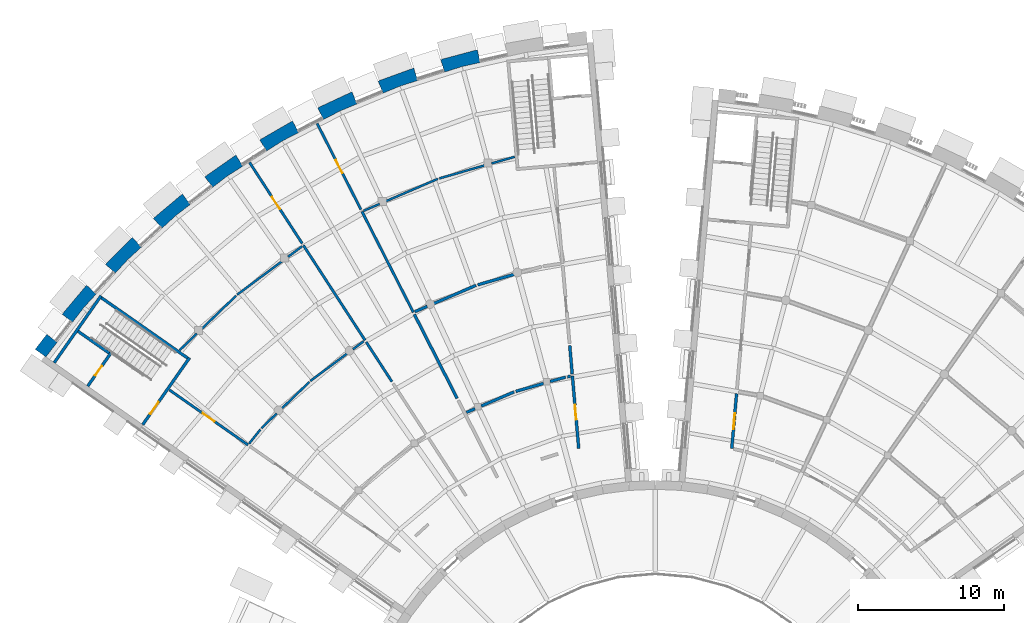
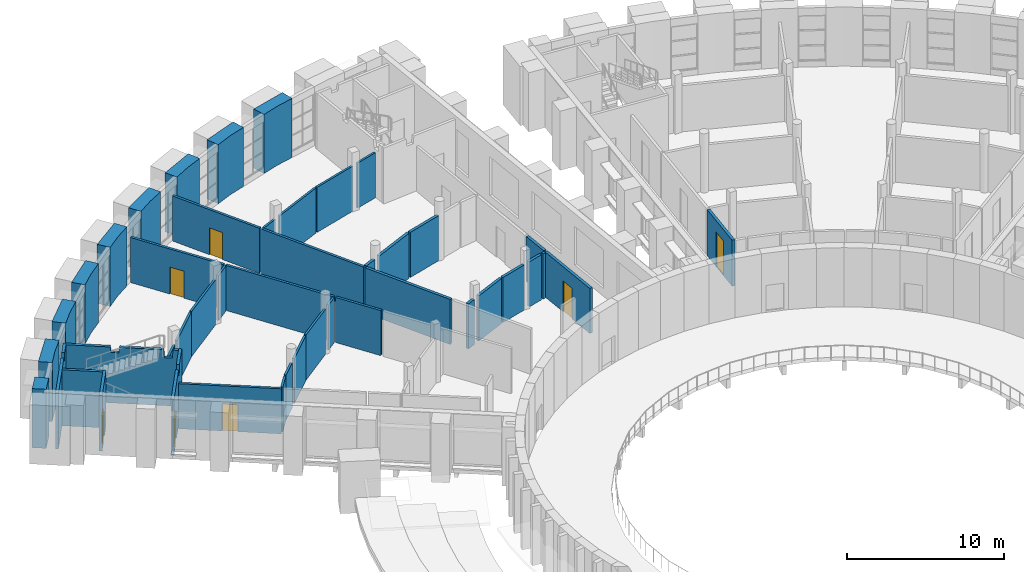
# One storey, part 31 of 50: 45 walls, 7 doors, 7 openings.
"""IFC4 building model written with IfcOpenShell, lengths in metres."""

from ifc_helpers import new_model, si_unit, direction, frame, frame_2d, origin, place, context, subcontext, project, spatial, polyline, rectangle, outline, extrude, material, layer, layer_set, type_object, element, fill, save


model = new_model("IFC4")

# Units and contexts
model_context = context("Model", 3, precision=1e-05, world=origin(), true_north=direction((0.0, 1.0)))
body_context = subcontext(model_context, "Body", "Model", "MODEL_VIEW")
ifc_project = project(units=[si_unit("LENGTHUNIT", "METRE"), si_unit("AREAUNIT", "SQUARE_METRE"), si_unit("VOLUMEUNIT", "CUBIC_METRE"), si_unit("PLANEANGLEUNIT", "RADIAN"), si_unit("MASSUNIT", "GRAM", prefix="KILO")], contexts=[model_context])

# Site, building, storey
site_placement = place(None, origin())
site = spatial("IfcSite", under=ifc_project, at=site_placement, CompositionType="ELEMENT")
building_placement = place(site_placement, origin())
building = spatial("IfcBuilding", under=site, at=building_placement, Name="Volute Hill Aquarium", CompositionType="ELEMENT")
storey_placement = place(building_placement, frame((0.0, 0.0, 9.199951171875)))
storey = spatial("IfcBuildingStorey", under=building, at=storey_placement, Name="L03", CompositionType="ELEMENT", Elevation=9.199951171875)

# Walls
ifc_material_1 = material(Name="Gypsum board on steel studs", Category="steel")
ifc_layer_1 = layer(ifc_material_1, 0.14990234375)
ifc_layer_set_1 = layer_set([ifc_layer_1], Name="Acoustic partition 150")
wall_type_1 = type_object("IfcWallType", Name="Acoustic partition 150", PredefinedType="PARTITIONING", material=ifc_layer_set_1)
wall_1_placement = place(storey_placement, frame((-28.64013671875, 33.7314453125, 0.0), z_axis=(0.0, 0.0, 1.0), x_axis=(0.802142294319, 0.597132932992, 0.0)))
element("IfcWall", 1, at=wall_1_placement, inside=storey, type_object=wall_type_1, Name="pw/S6/L03/014", PredefinedType="PARTITIONING", context=body_context, shape_type="SweptSolid", body=[
    extrude(rectangle(XDim=3.88818359375, YDim=0.14990234375, at=frame_2d((1.944091796875, 0.0))), origin(), (0.0, 0.0, 1.0), 3.510009765625),
])
wall_2_placement = place(storey_placement, frame((-18.462158203125, 40.12890625, 0.0), z_axis=(0.0, 0.0, 1.0), x_axis=(0.918233153658, 0.396040244828, 0.0)))
element("IfcWall", 2, at=wall_2_placement, inside=storey, type_object=wall_type_1, Name="pw/S6/L03/015", PredefinedType="PARTITIONING", context=body_context, shape_type="SweptSolid", body=[
    extrude(rectangle(XDim=3.887939453125, YDim=0.14990234375, at=frame_2d((1.94384765625, 0.0))), origin(), (0.0, 0.0, 1.0), 3.510009765625),
])
for number, where, z_axis, x_axis, name in (
    (3, (-14.791259765625, 41.697509765625, 0.0), (0.0, 0.0, 1.0), (0.961256048299, 0.275657050715, 0.0), "pw/S6/L03/017"),
    (4, (-31.069580078125, 31.38525390625, 0.0), (0.0, 0.0, 1.0), (0.719346181407, 0.694651762609, 0.0), "pw/S6/L03/018"),
):
    element("IfcWall", number, at=place(storey_placement, frame(where, z_axis=z_axis, x_axis=x_axis)), inside=storey, type_object=wall_type_1, Name=name, PredefinedType="PARTITIONING", context=body_context, shape_type="SweptSolid", body=[
        extrude(rectangle(XDim=3.2724609375, YDim=0.14990234375, at=frame_2d((1.63623046875, 0.0))), origin(), (0.0, 0.0, 1.0), 3.510009765625),
    ])
wall_3_placement = place(storey_placement, frame((-23.6240234375, 27.82373046875, 0.0), z_axis=(0.0, 0.0, 1.0), x_axis=(0.802134350782, 0.597143603579, 0.0)))
element("IfcWall", 5, at=wall_3_placement, inside=storey, type_object=wall_type_1, Name="pw/S6/L03/020", PredefinedType="PARTITIONING", context=body_context, shape_type="SweptSolid", body=[
    extrude(rectangle(XDim=3.163330078125, YDim=0.14990234375, at=frame_2d((1.58154296875, 0.0))), origin(), (0.0, 0.0, 1.0), 3.510009765625),
])
wall_4_placement = place(storey_placement, frame((-25.59619140625, 25.919189453125, 0.0), z_axis=(0.0, 0.0, 1.0), x_axis=(0.719359977384, 0.694637475909, 0.0)))
element("IfcWall", 6, at=wall_4_placement, inside=storey, type_object=wall_type_1, Name="pw/S6/L03/022", PredefinedType="PARTITIONING", context=body_context, shape_type="SweptSolid", body=[
    extrude(rectangle(XDim=2.63671875, YDim=0.14990234375, at=frame_2d((1.318359375, 0.0))), origin(), (0.0, 0.0, 1.0), 3.510009765625),
])
wall_5_placement = place(storey_placement, frame((-32.577880859375, 29.928466796875, 0.0), z_axis=(0.0, 0.0, 1.0), x_axis=(0.719296786021, 0.69470291033, 0.0)))
element("IfcWall", 7, at=wall_5_placement, inside=storey, type_object=wall_type_1, Name="pw/S6/L03/031", PredefinedType="PARTITIONING", context=body_context, shape_type="SweptSolid", body=[
    extrude(rectangle(XDim=1.64794921875, YDim=0.14990234375, at=frame_2d((0.823974609375, 0.0))), origin(), (0.0, 0.0, 1.0), 3.510009765625),
])
wall_6_placement = place(storey_placement, frame((-11.213623046875, 42.7236328125, 0.0), z_axis=(0.0, 0.0, 1.0), x_axis=(0.961266301996, 0.275621292078, 0.0)))
element("IfcWall", 8, at=wall_6_placement, inside=storey, type_object=wall_type_1, Name="pw/S6/L03/032", PredefinedType="PARTITIONING", context=body_context, shape_type="SweptSolid", body=[
    extrude(rectangle(XDim=1.6474609375, YDim=0.14990234375, at=frame_2d((0.82373046875, 0.0))), origin(), (0.0, 0.0, 1.0), 3.510009765625),
])
wall_7_placement = place(storey_placement, frame((-26.982177734375, 24.580810546875, 0.0), z_axis=(0.0, 0.0, 1.0), x_axis=(0.719392860406, 0.694603420951, 0.0)))
element("IfcWall", 9, at=wall_7_placement, inside=storey, type_object=wall_type_1, Name="pw/S6/L03/033", PredefinedType="PARTITIONING", context=body_context, shape_type="SweptSolid", body=[
    extrude(rectangle(XDim=1.467529296875, YDim=0.14990234375, at=frame_2d((0.73388671875, 0.0))), origin(), (0.0, 0.0, 1.0), 3.510009765625),
])
wall_8_placement = place(storey_placement, frame((-27.822265625, 23.531005859375, 0.0), z_axis=(0.0, 0.0, 1.0), x_axis=(0.624791126104, 0.780791936909, 0.0)))
element("IfcWall", 10, at=wall_8_placement, inside=storey, type_object=wall_type_1, Name="pw/S6/L03/036", PredefinedType="PARTITIONING", context=body_context, shape_type="SweptSolid", body=[
    extrude(rectangle(XDim=1.239501953125, YDim=0.14990234375, at=frame_2d((0.61962890625, 0.0))), origin(), (0.0, 0.0, 1.0), 3.510009765625),
])
for number, where, z_axis, x_axis, name in (
    (11, (-25.154296875, 36.326416015625, 0.0), (0.0, 0.0, 1.0), (0.802076382744, 0.597221463315, 0.0), "pw/S6/L03/037"),
    (12, (-19.981201171875, 39.4736328125, 0.0), (0.0, 0.0, 1.0), (0.918224308599, 0.396060751776, 0.0), "pw/S6/L03/038"),
):
    element("IfcWall", number, at=place(storey_placement, frame(where, z_axis=z_axis, x_axis=x_axis)), inside=storey, type_object=wall_type_1, Name=name, PredefinedType="PARTITIONING", context=body_context, shape_type="SweptSolid", body=[
        extrude(rectangle(XDim=1.196533203125, YDim=0.14990234375, at=frame_2d((0.59814453125, 0.0))), origin(), (0.0, 0.0, 1.0), 3.510009765625),
    ])
wall_9_placement = place(storey_placement, frame((-20.713623046875, 29.990478515625, 0.0), z_axis=(0.0, 0.0, 1.0), x_axis=(0.802186053372, 0.597074145961, 0.0)))
element("IfcWall", 13, at=wall_9_placement, inside=storey, type_object=wall_type_1, Name="pw/S6/L03/044", PredefinedType="PARTITIONING", context=body_context, shape_type="SweptSolid", body=[
    extrude(rectangle(XDim=0.92236328125, YDim=0.14990234375, at=frame_2d((0.461181640625, 0.0))), origin(), (0.0, 0.0, 1.0), 3.510009765625),
])

# Wall, opening, door
ifc_material_2 = material(Name="Concrete C30/37", Category="concrete")
ifc_layer_2 = layer(ifc_material_2, 0.199951171875)
ifc_layer_set_2 = layer_set([ifc_layer_2], Name="Core wall 200 REI 60")
wall_type_2 = type_object("IfcWallType", Name="Core wall 200 REI 60", PredefinedType="SHEAR", material=ifc_layer_set_2)
wall_10_placement = place(storey_placement, frame((-35.10888671875, 24.82763671875, 0.0), z_axis=(0.0, 0.0, 1.0), x_axis=(0.573599855614, 0.819135645446, 0.0)))
wall_10 = element("IfcWall", 14, at=wall_10_placement, inside=storey, type_object=wall_type_2, Name="wc/S6-B/L03/in", PredefinedType="SHEAR", context=body_context, shape_type="SweptSolid", body=[
    extrude(outline(polyline([(0.0, 0.0), (5.60009765625, 0.0), (5.60009765625, 4.35009765625), (3.853271484375, 4.35009765625), (3.80322265625, 3.780029296875), (3.30322265625, 3.780029296875), (3.25341796875, 4.35009765625), (0.0, 4.35009765625), (0.0, 0.0)])), frame((0.0, 0.10009765625, 0.0), z_axis=(0.0, -1.0, 0.0), x_axis=(1.0, 0.0, 0.0)), (0.0, 0.0, 1.0), 0.199951171875),
])
opening_1_placement = place(wall_10_placement, frame((0.89990234375, 0.0, 0.0)))
opening_1 = element("IfcOpeningElement", 15, at=opening_1_placement, cuts=wall_10, Name="Opening D6.03.BS", PredefinedType="OPENING", context=body_context, shape_type="SweptSolid", body=[
    extrude(rectangle(XDim=1.0, YDim=2.10009765625, at=frame_2d((0.5, 1.050048828125))), frame((0.0, 0.10986328125, 0.0), z_axis=(0.0, -1.0, 0.0), x_axis=(1.0, 0.0, 0.0)), (0.0, 0.0, 1.0), 0.219970703125),
])
ifc_material_3 = material(Name="Timber, fire-rated", Category="wood")
door_type_1 = type_object("IfcDoorType", Name="Door 1000 x 2100 single EI1 30", OperationType="SINGLE_SWING_LEFT", PredefinedType="DOOR", material=ifc_material_3)
door_1_placement = place(opening_1_placement, origin())
door_1 = element("IfcDoor", 16, at=door_1_placement, inside=storey, type_object=door_type_1, Name="d/S6-B/L03/st", OperationType="SINGLE_SWING_RIGHT", OverallHeight=2.10009765625, OverallWidth=1.0, PredefinedType="DOOR", context=body_context, shape_type="SweptSolid", body=[
    extrude(rectangle(XDim=1.0, YDim=2.10009765625, at=frame_2d((0.5, 1.050048828125))), frame((0.0, 0.02490234375, 0.0), z_axis=(0.0, -1.0, 0.0), x_axis=(1.0, 0.0, 0.0)), (0.0, 0.0, 1.0), 0.050048828125),
])
fill(opening_1, door_1)

# Walls
wall_11_placement = place(storey_placement, frame((-32.0361328125, 29.390380859375, 0.0), z_axis=(0.0, 0.0, 1.0), x_axis=(-0.819161821637, 0.573562472597, 0.0)))
element("IfcWall", 17, at=wall_11_placement, inside=storey, type_object=wall_type_2, Name="wc/S6-B/L03/side", PredefinedType="SHEAR", context=body_context, shape_type="SweptSolid", body=[
    extrude(outline(polyline([(0.0, 0.0), (7.199951171875, 0.0), (7.199951171875, 4.35009765625), (4.36767578125, 4.35009765625), (4.317626953125, 3.929931640625), (3.817626953125, 3.929931640625), (3.767578125, 4.35009765625), (0.942626953125, 4.35009765625), (0.892578125, 3.72998046875), (0.392578125, 3.72998046875), (0.342529296875, 4.35009765625), (0.0, 4.35009765625), (0.0, 0.0)])), frame((0.0, 0.10009765625, 0.0), z_axis=(0.0, -1.0, 0.0), x_axis=(1.0, 0.0, 0.0)), (0.0, 0.0, 1.0), 0.199951171875),
])
wall_12_placement = place(storey_placement, frame((-41.17041015625, 29.072021484375, 0.0), z_axis=(0.0, 0.0, 1.0), x_axis=(0.573570601961, 0.819156129542, 0.0)))
element("IfcWall", 18, at=wall_12_placement, inside=storey, type_object=wall_type_2, Name="wc/S6-B/L03/out", PredefinedType="SHEAR", context=body_context, shape_type="SweptSolid", body=[
    extrude(outline(polyline([(0.0, 0.0), (5.599853515625, 0.0), (5.599853515625, 4.35009765625), (4.51806640625, 4.35009765625), (4.468017578125, 3.929931640625), (3.968017578125, 3.929931640625), (3.918212890625, 4.35009765625), (0.0, 4.35009765625), (0.0, 0.0)])), frame((0.0, 0.10009765625, 0.0), z_axis=(0.0, -1.0, 0.0), x_axis=(1.0, 0.0, 0.0)), (0.0, 0.0, 1.0), 0.199951171875),
])
ifc_material_4 = material(Name="Gypsum board on steel studs", Category="steel")
ifc_layer_3 = layer(ifc_material_4, 0.175048828125)
ifc_layer_set_3 = layer_set([ifc_layer_3], Name="Corridor partition 175 EI 60")
wall_type_3 = type_object("IfcWallType", Name="Corridor partition 175 EI 60", PredefinedType="PARTITIONING", material=ifc_layer_set_3)
wall_13_placement = place(storey_placement, frame((-19.87939453125, 30.611572265625, 0.0), z_axis=(0.0, 0.0, 1.0), x_axis=(-0.544649472572, 0.838663789624, 0.0)))
element("IfcWall", 19, at=wall_13_placement, inside=storey, type_object=wall_type_3, Name="pw/S6/L03/002", PredefinedType="PARTITIONING", context=body_context, shape_type="SweptSolid", body=[
    extrude(rectangle(XDim=7.749755859375, YDim=0.175048828125, at=frame_2d((3.875, 0.0))), origin(), (0.0, 0.0, 1.0), 3.510009765625),
])
wall_14_placement = place(storey_placement, frame((-20.089111328125, 39.427001953125, 0.0), z_axis=(0.0, 0.0, 1.0), x_axis=(0.454005059644, -0.890999105397, 0.0)))
element("IfcWall", 20, at=wall_14_placement, inside=storey, type_object=wall_type_3, Name="pw/S6/L03/003", PredefinedType="PARTITIONING", context=body_context, shape_type="SweptSolid", body=[
    extrude(rectangle(XDim=7.75, YDim=0.175048828125, at=frame_2d((3.875, 0.0))), origin(), (0.0, 0.0, 1.0), 3.510009765625),
])

# Wall, opening, door
wall_15_placement = place(storey_placement, frame((-23.1640625, 45.462158203125, 0.0), z_axis=(0.0, 0.0, 1.0), x_axis=(0.453983208185, -0.891010239383, 0.0)))
wall_15 = element("IfcWall", 21, at=wall_15_placement, inside=storey, type_object=wall_type_3, Name="pw/S6/L03/004", PredefinedType="PARTITIONING", context=body_context, shape_type="SweptSolid", body=[
    extrude(rectangle(XDim=6.623291015625, YDim=0.175048828125, at=frame_2d((3.3115234375, 0.0))), origin(), (0.0, 0.0, 1.0), 3.510009765625),
])
opening_2_placement = place(wall_15_placement, frame((2.811767578125, 0.0, 0.0)))
opening_2 = element("IfcOpeningElement", 22, at=opening_2_placement, cuts=wall_15, Name="Opening D6.03.07", PredefinedType="OPENING", context=body_context, shape_type="SweptSolid", body=[
    extrude(rectangle(XDim=1.0, YDim=2.10009765625, at=frame_2d((0.5, 1.050048828125))), frame((0.0, 0.097412109375, 0.0), z_axis=(0.0, -1.0, 0.0), x_axis=(1.0, 0.0, 0.0)), (0.0, 0.0, 1.0), 0.195068359375),
])
door_2_placement = place(opening_2_placement, origin())
door_2 = element("IfcDoor", 23, at=door_2_placement, inside=storey, type_object=door_type_1, Name="d/S6/L03/07", OperationType="SINGLE_SWING_LEFT", OverallHeight=2.10009765625, OverallWidth=1.0, PredefinedType="DOOR", context=body_context, shape_type="SweptSolid", body=[
    extrude(rectangle(XDim=1.0, YDim=2.10009765625, at=frame_2d((0.5, 1.050048828125))), frame((0.0, 0.02490234375, 0.0), z_axis=(0.0, -1.0, 0.0), x_axis=(1.0, 0.0, 0.0)), (0.0, 0.0, 1.0), 0.050048828125),
])
fill(opening_2, door_2)

wall_16_placement = place(storey_placement, frame((-24.181884765625, 37.237060546875, 0.0), z_axis=(0.0, 0.0, 1.0), x_axis=(-0.544656624654, 0.838659144838, 0.0)))
wall_16 = element("IfcWall", 24, at=wall_16_placement, inside=storey, type_object=wall_type_3, Name="pw/S6/L03/005", PredefinedType="PARTITIONING", context=body_context, shape_type="SweptSolid", body=[
    extrude(rectangle(XDim=6.623291015625, YDim=0.175048828125, at=frame_2d((3.3115234375, 0.0))), origin(), (0.0, 0.0, 1.0), 3.510009765625),
])
opening_3_placement = place(wall_16_placement, frame((2.811767578125, 0.0, 0.0)))
opening_3 = element("IfcOpeningElement", 25, at=opening_3_placement, cuts=wall_16, Name="Opening D6.03.08", PredefinedType="OPENING", context=body_context, shape_type="SweptSolid", body=[
    extrude(rectangle(XDim=1.0, YDim=2.10009765625, at=frame_2d((0.5, 1.050048828125))), frame((0.0, 0.097412109375, 0.0), z_axis=(0.0, -1.0, 0.0), x_axis=(1.0, 0.0, 0.0)), (0.0, 0.0, 1.0), 0.195068359375),
])
door_3_placement = place(opening_3_placement, origin())
door_3 = element("IfcDoor", 26, at=door_3_placement, inside=storey, type_object=door_type_1, Name="d/S6/L03/08", OperationType="SINGLE_SWING_RIGHT", OverallHeight=2.10009765625, OverallWidth=1.0, PredefinedType="DOOR", context=body_context, shape_type="SweptSolid", body=[
    extrude(rectangle(XDim=1.0, YDim=2.10009765625, at=frame_2d((0.5, 1.050048828125))), frame((0.0, 0.02490234375, 0.0), z_axis=(0.0, -1.0, 0.0), x_axis=(1.0, 0.0, 0.0)), (0.0, 0.0, 1.0), 0.050048828125),
])
fill(opening_3, door_3)

wall_17_placement = place(storey_placement, frame((-33.281494140625, 27.21044921875, 0.0), z_axis=(0.0, 0.0, 1.0), x_axis=(0.819156902999, -0.573569497331, 0.0)))
wall_17 = element("IfcWall", 27, at=wall_17_placement, inside=storey, type_object=wall_type_3, Name="pw/S6/L03/007", PredefinedType="PARTITIONING", context=body_context, shape_type="SweptSolid", body=[
    extrude(rectangle(XDim=6.574951171875, YDim=0.175048828125, at=frame_2d((3.28759765625, 0.0))), origin(), (0.0, 0.0, 1.0), 3.510009765625),
])
opening_4_placement = place(wall_17_placement, frame((2.78759765625, 0.0, 0.0)))
opening_4 = element("IfcOpeningElement", 28, at=opening_4_placement, cuts=wall_17, Name="Opening D6.03.06", PredefinedType="OPENING", context=body_context, shape_type="SweptSolid", body=[
    extrude(rectangle(XDim=1.0, YDim=2.10009765625, at=frame_2d((0.5, 1.050048828125))), frame((0.0, 0.097412109375, 0.0), z_axis=(0.0, -1.0, 0.0), x_axis=(1.0, 0.0, 0.0)), (0.0, 0.0, 1.0), 0.195068359375),
])
door_4_placement = place(opening_4_placement, origin())
door_4 = element("IfcDoor", 29, at=door_4_placement, inside=storey, type_object=door_type_1, Name="d/S6/L03/06", OperationType="SINGLE_SWING_RIGHT", OverallHeight=2.10009765625, OverallWidth=1.0, PredefinedType="DOOR", context=body_context, shape_type="SweptSolid", body=[
    extrude(rectangle(XDim=1.0, YDim=2.10009765625, at=frame_2d((0.5, 1.050048828125))), frame((0.0, 0.02490234375, 0.0), z_axis=(0.0, -1.0, 0.0), x_axis=(1.0, 0.0, 0.0)), (0.0, 0.0, 1.0), 0.050048828125),
])
fill(opening_4, door_4)

# Wall
wall_18_placement = place(storey_placement, frame((-19.797607421875, 30.485595703125, 0.0), z_axis=(0.0, 0.0, 1.0), x_axis=(0.544664723854, -0.838653884859, 0.0)))
element("IfcWall", 30, at=wall_18_placement, inside=storey, type_object=wall_type_3, Name="pw/S6/L03/016", PredefinedType="PARTITIONING", context=body_context, shape_type="SweptSolid", body=[
    extrude(rectangle(XDim=3.2353515625, YDim=0.175048828125, at=frame_2d((1.61767578125, 0.0))), origin(), (0.0, 0.0, 1.0), 3.510009765625),
])

# Wall, opening, door
ifc_material_5 = material(Name="Masonry blockwork", Category="masonry")
ifc_layer_4 = layer(ifc_material_5, 0.199951171875)
ifc_layer_set_4 = layer_set([ifc_layer_4], Name="Fire partition 200 EI 60")
wall_type_4 = type_object("IfcWallType", Name="Fire partition 200 EI 60", PredefinedType="PARTITIONING", material=ifc_layer_set_4)
wall_19_placement = place(storey_placement, frame((5.570068359375, 26.94970703125, 0.0), z_axis=(0.0, 0.0, 1.0), x_axis=(-0.087196662223, -0.996191117255, 0.0)))
wall_19 = element("IfcWall", 31, at=wall_19_placement, inside=storey, type_object=wall_type_4, Name="pw/S5/L03/018", PredefinedType="PARTITIONING", context=body_context, shape_type="SweptSolid", body=[
    extrude(rectangle(XDim=3.771484375, YDim=0.199951171875, at=frame_2d((1.8857421875, 0.0))), origin(), (0.0, 0.0, 1.0), 3.590087890625),
])
opening_5_placement = place(wall_19_placement, frame((1.335693359375, 0.0, 0.0)))
opening_5 = element("IfcOpeningElement", 32, at=opening_5_placement, cuts=wall_19, Name="Opening D5.03.05", PredefinedType="OPENING", context=body_context, shape_type="SweptSolid", body=[
    extrude(rectangle(XDim=1.10009765625, YDim=2.699951171875, at=frame_2d((0.550048828125, 1.35009765625))), frame((0.0, 0.10986328125, 0.0), z_axis=(0.0, -1.0, 0.0), x_axis=(1.0, 0.0, 0.0)), (0.0, 0.0, 1.0), 0.219970703125),
])
ifc_material_6 = material(Name="Steel, fire-rated", Category="steel")
door_type_2 = type_object("IfcDoorType", Name="Door 1100 x 2700 animal care EI1 30", OperationType="SINGLE_SWING_LEFT", PredefinedType="DOOR", material=ifc_material_6)
door_5_placement = place(opening_5_placement, origin())
door_5 = element("IfcDoor", 33, at=door_5_placement, inside=storey, type_object=door_type_2, Name="d/S5/L03/05", OperationType="SINGLE_SWING_LEFT", OverallHeight=2.699951171875, OverallWidth=1.10009765625, PredefinedType="DOOR", context=body_context, shape_type="SweptSolid", body=[
    extrude(rectangle(XDim=1.10009765625, YDim=2.699951171875, at=frame_2d((0.550048828125, 1.35009765625))), frame((0.0, 0.02490234375, 0.0), z_axis=(0.0, -1.0, 0.0), x_axis=(1.0, 0.0, 0.0)), (0.0, 0.0, 1.0), 0.050048828125),
])
fill(opening_5, door_5)

# Wall
wall_20_placement = place(storey_placement, frame((-13.56884765625, 26.630615234375, 0.0), z_axis=(0.0, 0.0, 1.0), x_axis=(-0.454031618181, 0.890985572101, 0.0)))
element("IfcWall", 34, at=wall_20_placement, inside=storey, type_object=wall_type_4, Name="pw/S6/L03/006", PredefinedType="PARTITIONING", context=body_context, shape_type="SweptSolid", body=[
    extrude(rectangle(XDim=6.461669921875, YDim=0.199951171875, at=frame_2d((3.23095703125, 0.0))), origin(), (0.0, 0.0, 1.0), 3.510009765625),
])

# Wall, opening, door
wall_21_placement = place(storey_placement, frame((-5.2421875, 23.202392578125, 0.0), z_axis=(0.0, 0.0, 1.0), x_axis=(-0.087171821309, 0.996193291269, 0.0)))
wall_21 = element("IfcWall", 35, at=wall_21_placement, inside=storey, type_object=wall_type_4, Name="pw/S6/L03/012", PredefinedType="PARTITIONING", context=body_context, shape_type="SweptSolid", body=[
    extrude(rectangle(XDim=4.97412109375, YDim=0.199951171875, at=frame_2d((2.487060546875, 0.0))), origin(), (0.0, 0.0, 1.0), 3.510009765625),
])
opening_6_placement = place(wall_21_placement, frame((1.987060546875, 0.0, 0.0)))
opening_6 = element("IfcOpeningElement", 36, at=opening_6_placement, cuts=wall_21, Name="Opening D6.03.01", PredefinedType="OPENING", context=body_context, shape_type="SweptSolid", body=[
    extrude(rectangle(XDim=1.0, YDim=2.39990234375, at=frame_2d((0.5, 1.199951171875))), frame((0.0, 0.10986328125, 0.0), z_axis=(0.0, -1.0, 0.0), x_axis=(1.0, 0.0, 0.0)), (0.0, 0.0, 1.0), 0.219970703125),
])
ifc_material_7 = material(Name="Steel, fire-rated", Category="steel")
door_type_3 = type_object("IfcDoorType", Name="Door 1000 x 2400 laboratory EI1 30", OperationType="SINGLE_SWING_LEFT", PredefinedType="DOOR", material=ifc_material_7)
door_6_placement = place(opening_6_placement, origin())
door_6 = element("IfcDoor", 37, at=door_6_placement, inside=storey, type_object=door_type_3, Name="d/S6/L03/01", OperationType="SINGLE_SWING_LEFT", OverallHeight=2.39990234375, OverallWidth=1.0, PredefinedType="DOOR", context=body_context, shape_type="SweptSolid", body=[
    extrude(rectangle(XDim=1.0, YDim=2.39990234375, at=frame_2d((0.5, 1.199951171875))), frame((0.0, 0.02490234375, 0.0), z_axis=(0.0, -1.0, 0.0), x_axis=(1.0, 0.0, 0.0)), (0.0, 0.0, 1.0), 0.050048828125),
])
fill(opening_6, door_6)

# Walls
wall_22_placement = place(storey_placement, frame((-15.188720703125, 33.117919921875, 0.0), z_axis=(0.0, 0.0, 1.0), x_axis=(0.918224420865, 0.396060491501, 0.0)))
element("IfcWall", 38, at=wall_22_placement, inside=storey, type_object=wall_type_4, Name="pw/S6/L03/019", PredefinedType="PARTITIONING", context=body_context, shape_type="SweptSolid", body=[
    extrude(rectangle(XDim=3.16357421875, YDim=0.199951171875, at=frame_2d((1.581787109375, 0.0))), origin(), (0.0, 0.0, 1.0), 3.510009765625),
])
wall_23_placement = place(storey_placement, frame((-12.1591796875, 34.406494140625, 0.0), z_axis=(0.0, 0.0, 1.0), x_axis=(0.961251857381, 0.275671664633, 0.0)))
element("IfcWall", 39, at=wall_23_placement, inside=storey, type_object=wall_type_4, Name="pw/S6/L03/021", PredefinedType="PARTITIONING", context=body_context, shape_type="SweptSolid", body=[
    extrude(rectangle(XDim=2.61181640625, YDim=0.199951171875, at=frame_2d((1.305908203125, 0.0))), origin(), (0.0, 0.0, 1.0), 3.510009765625),
])
wall_24_placement = place(storey_placement, frame((-11.915771484375, 26.106689453125, 0.0), z_axis=(0.0, 0.0, 1.0), x_axis=(0.918205503365, 0.396104346847, 0.0)))
element("IfcWall", 40, at=wall_24_placement, inside=storey, type_object=wall_type_4, Name="pw/S6/L03/024", PredefinedType="PARTITIONING", context=body_context, shape_type="SweptSolid", body=[
    extrude(rectangle(XDim=2.439453125, YDim=0.199951171875, at=frame_2d((1.2197265625, 0.0))), origin(), (0.0, 0.0, 1.0), 3.510009765625),
])
wall_25_placement = place(storey_placement, frame((-5.688720703125, 28.306884765625, 0.0), z_axis=(0.0, 0.0, 1.0), x_axis=(-0.087110975906, 0.996198613669, 0.0)))
element("IfcWall", 41, at=wall_25_placement, inside=storey, type_object=wall_type_4, Name="pw/S6/L03/026", PredefinedType="PARTITIONING", context=body_context, shape_type="SweptSolid", body=[
    extrude(rectangle(XDim=1.94775390625, YDim=0.199951171875, at=frame_2d((0.973876953125, 0.0))), origin(), (0.0, 0.0, 1.0), 3.510009765625),
])
wall_26_placement = place(storey_placement, frame((-9.55078125, 27.108642578125, 0.0), z_axis=(0.0, 0.0, 1.0), x_axis=(0.961262549372, 0.275634379522, 0.0)))
element("IfcWall", 42, at=wall_26_placement, inside=storey, type_object=wall_type_4, Name="pw/S6/L03/028", PredefinedType="PARTITIONING", context=body_context, shape_type="SweptSolid", body=[
    extrude(rectangle(XDim=1.97705078125, YDim=0.199951171875, at=frame_2d((0.988525390625, 0.0))), origin(), (0.0, 0.0, 1.0), 3.510009765625),
])
wall_27_placement = place(storey_placement, frame((-7.20166015625, 27.782470703125, 0.0), z_axis=(0.0, 0.0, 1.0), x_axis=(0.96129815515, 0.275510175682, 0.0)))
element("IfcWall", 43, at=wall_27_placement, inside=storey, type_object=wall_type_4, Name="pw/S6/L03/041", PredefinedType="PARTITIONING", context=body_context, shape_type="SweptSolid", body=[
    extrude(rectangle(XDim=1.103271484375, YDim=0.199951171875, at=frame_2d((0.5517578125, 0.0))), origin(), (0.0, 0.0, 1.0), 3.510009765625),
])
wall_28_placement = place(storey_placement, frame((-16.462646484375, 32.568359375, 0.0), z_axis=(0.0, 0.0, 1.0), x_axis=(0.918198003285, 0.396121732253, 0.0)))
element("IfcWall", 44, at=wall_28_placement, inside=storey, type_object=wall_type_4, Name="pw/S6/L03/043", PredefinedType="PARTITIONING", context=body_context, shape_type="SweptSolid", body=[
    extrude(rectangle(XDim=0.922607421875, YDim=0.199951171875, at=frame_2d((0.46142578125, 0.0))), origin(), (0.0, 0.0, 1.0), 3.510009765625),
])
wall_29_placement = place(storey_placement, frame((-12.932861328125, 25.66796875, 0.0), z_axis=(0.0, 0.0, 1.0), x_axis=(0.918290455345, 0.395907362425, 0.0)))
element("IfcWall", 45, at=wall_29_placement, inside=storey, type_object=wall_type_4, Name="pw/S6/L03/046", PredefinedType="PARTITIONING", context=body_context, shape_type="SweptSolid", body=[
    extrude(rectangle(XDim=0.636962890625, YDim=0.199951171875, at=frame_2d((0.318359375, 0.0))), origin(), (0.0, 0.0, 1.0), 3.510009765625),
])
wall_30_placement = place(storey_placement, frame((-6.012451171875, 28.106201171875, 0.0), z_axis=(0.0, 0.0, 1.0), x_axis=(0.988757087339, 0.149530673232, 0.0)))
element("IfcWall", 46, at=wall_30_placement, inside=storey, type_object=wall_type_4, Name="pw/S6/L03/047", PredefinedType="PARTITIONING", context=body_context, shape_type="SweptSolid", body=[
    extrude(rectangle(XDim=0.210693359375, YDim=0.199951171875, at=frame_2d((0.10546875, 0.0))), origin(), (0.0, 0.0, 1.0), 3.510009765625),
])
ifc_material_8 = material(Name="Precast concrete C40/50", Category="concrete")
ifc_layer_5 = layer(ifc_material_8, 0.89990234375)
ifc_layer_set_5 = layer_set([ifc_layer_5], Name="Outer pier precast concrete C40/50 900")
wall_type_5 = type_object("IfcWallType", Name="Outer pier precast concrete C40/50 900", PredefinedType="NOTDEFINED", material=ifc_layer_set_5)
wall_31_placement = place(storey_placement, origin())
element("IfcWall", 47, at=wall_31_placement, inside=storey, type_object=wall_type_5, Name="Outer pier OWP S6 L03 3", PredefinedType="NOTDEFINED", context=body_context, shape_type="SweptSolid", body=[
    extrude(outline(polyline([(-11.993408203125, 49.631591796875), (-12.188232421875, 50.51025390625), (-14.69970703125, 49.837158203125), (-14.42919921875, 48.97900390625), (-13.2255859375, 49.3583984375), (-11.993408203125, 49.631591796875)])), origin(), (0.0, 0.0, 1.0), 4.60009765625),
])
wall_32_placement = place(storey_placement, origin())
element("IfcWall", 48, at=wall_32_placement, inside=storey, type_object=wall_type_5, Name="Outer pier OWP S6 L03 4", PredefinedType="NOTDEFINED", context=body_context, shape_type="SweptSolid", body=[
    extrude(outline(polyline([(-16.2734375, 48.3974609375), (-16.544189453125, 49.255859375), (-18.987548828125, 48.366455078125), (-18.64306640625, 47.534912109375), (-17.47705078125, 48.017822265625), (-16.2734375, 48.3974609375)])), origin(), (0.0, 0.0, 1.0), 4.60009765625),
])
wall_33_placement = place(storey_placement, origin())
element("IfcWall", 49, at=wall_33_placement, inside=storey, type_object=wall_type_5, Name="Outer pier OWP S6 L03 5", PredefinedType="NOTDEFINED", context=body_context, shape_type="SweptSolid", body=[
    extrude(outline(polyline([(-20.4296875, 46.794921875), (-20.774169921875, 47.62646484375), (-23.130615234375, 46.527587890625), (-22.715087890625, 45.729248046875), (-21.595703125, 46.31201171875), (-20.4296875, 46.794921875)])), origin(), (0.0, 0.0, 1.0), 4.60009765625),
])
wall_34_placement = place(storey_placement, origin())
element("IfcWall", 50, at=wall_34_placement, inside=storey, type_object=wall_type_5, Name="Outer pier OWP S6 L03 6", PredefinedType="NOTDEFINED", context=body_context, shape_type="SweptSolid", body=[
    extrude(outline(polyline([(-24.430419921875, 44.836181640625), (-24.845947265625, 45.634521484375), (-27.09765625, 44.33447265625), (-26.6142578125, 43.575439453125), (-25.5498046875, 44.25341796875), (-24.430419921875, 44.836181640625)])), origin(), (0.0, 0.0, 1.0), 4.60009765625),
])
wall_35_placement = place(storey_placement, origin())
element("IfcWall", 51, at=wall_35_placement, inside=storey, type_object=wall_type_5, Name="Outer pier OWP S6 L03 7", PredefinedType="NOTDEFINED", context=body_context, shape_type="SweptSolid", body=[
    extrude(outline(polyline([(-28.2451171875, 42.536376953125), (-28.728759765625, 43.29541015625), (-30.858642578125, 41.803955078125), (-30.310791015625, 41.090087890625), (-29.3095703125, 41.8583984375), (-28.2451171875, 42.536376953125)])), origin(), (0.0, 0.0, 1.0), 4.60009765625),
])
wall_36_placement = place(storey_placement, origin())
element("IfcWall", 52, at=wall_36_placement, inside=storey, type_object=wall_type_5, Name="Outer pier OWP S6 L03 8", PredefinedType="NOTDEFINED", context=body_context, shape_type="SweptSolid", body=[
    extrude(outline(polyline([(-31.844970703125, 39.912841796875), (-32.392822265625, 40.626708984375), (-34.384765625, 38.95556640625), (-33.776611328125, 38.2919921875), (-32.84619140625, 39.14453125), (-31.844970703125, 39.912841796875)])), origin(), (0.0, 0.0, 1.0), 4.60009765625),
])
wall_37_placement = place(storey_placement, origin())
element("IfcWall", 53, at=wall_37_placement, inside=storey, type_object=wall_type_5, Name="Outer pier OWP S6 L03 9", PredefinedType="NOTDEFINED", context=body_context, shape_type="SweptSolid", body=[
    extrude(outline(polyline([(-35.202392578125, 36.985595703125), (-35.810546875, 37.649169921875), (-37.649169921875, 35.810546875), (-36.985595703125, 35.202392578125), (-36.1328125, 36.1328125), (-35.202392578125, 36.985595703125)])), origin(), (0.0, 0.0, 1.0), 4.60009765625),
])
wall_38_placement = place(storey_placement, origin())
element("IfcWall", 54, at=wall_38_placement, inside=storey, type_object=wall_type_5, Name="Outer pier OWP S6 L03 10", PredefinedType="NOTDEFINED", context=body_context, shape_type="SweptSolid", body=[
    extrude(outline(polyline([(-38.2919921875, 33.776611328125), (-38.95556640625, 34.384765625), (-40.626953125, 32.392822265625), (-39.912841796875, 31.844970703125), (-39.14453125, 32.84619140625), (-38.2919921875, 33.776611328125)])), origin(), (0.0, 0.0, 1.0), 4.60009765625),
])
wall_39_placement = place(storey_placement, origin())
element("IfcWall", 55, at=wall_39_placement, inside=storey, type_object=wall_type_5, Name="Outer pier OWP S6 L03 11", PredefinedType="NOTDEFINED", context=body_context, shape_type="SweptSolid", body=[
    extrude(outline(polyline([(-40.96826171875, 30.469482421875), (-41.68212890625, 31.017578125), (-42.474365234375, 29.985107421875), (-41.736572265625, 29.46826171875), (-40.96826171875, 30.469482421875)])), origin(), (0.0, 0.0, 1.0), 4.60009765625),
])

# Wall, opening, door
ifc_material_9 = material(Name="Masonry blockwork", Category="masonry")
ifc_layer_6 = layer(ifc_material_9, 0.199951171875)
ifc_layer_set_6 = layer_set([ifc_layer_6], Name="Riser wall 200 EI 60")
wall_type_6 = type_object("IfcWallType", Name="Riser wall 200 EI 60", PredefinedType="SOLIDWALL", material=ifc_layer_set_6)
wall_40_placement = place(storey_placement, frame((-38.876953125, 27.466064453125, 0.0), z_axis=(0.0, 0.0, 1.0), x_axis=(0.573550118428, 0.819170471667, 0.0)))
wall_40 = element("IfcWall", 56, at=wall_40_placement, inside=storey, type_object=wall_type_6, Name="wc/S6-B/L03/front", PredefinedType="SOLIDWALL", context=body_context, shape_type="SweptSolid", body=[
    extrude(rectangle(XDim=2.800048828125, YDim=0.199951171875, at=frame_2d((1.39990234375, 0.0))), origin(), (0.0, 0.0, 1.0), 4.35009765625),
])
opening_7_placement = place(wall_40_placement, frame((0.89990234375, 0.0, 0.0)))
opening_7 = element("IfcOpeningElement", 57, at=opening_7_placement, cuts=wall_40, Name="Opening D6.03.BR", PredefinedType="OPENING", context=body_context, shape_type="SweptSolid", body=[
    extrude(rectangle(XDim=0.800048828125, YDim=2.10009765625, at=frame_2d((0.39990234375, 1.050048828125))), frame((0.0, 0.10986328125, 0.0), z_axis=(0.0, -1.0, 0.0), x_axis=(1.0, 0.0, 0.0)), (0.0, 0.0, 1.0), 0.219970703125),
])
ifc_material_10 = material(Name="Steel, fire-rated", Category="steel")
door_type_4 = type_object("IfcDoorType", Name="Door 800 x 2100 riser EI1 30", OperationType="SINGLE_SWING_LEFT", PredefinedType="DOOR", material=ifc_material_10)
door_7_placement = place(opening_7_placement, origin())
door_7 = element("IfcDoor", 58, at=door_7_placement, inside=storey, type_object=door_type_4, Name="d/S6-B/L03/rs", OperationType="SINGLE_SWING_LEFT", OverallHeight=2.10009765625, OverallWidth=0.800048828125, PredefinedType="DOOR", context=body_context, shape_type="SweptSolid", body=[
    extrude(rectangle(XDim=0.800048828125, YDim=2.10009765625, at=frame_2d((0.39990234375, 1.050048828125))), frame((0.0, 0.02490234375, 0.0), z_axis=(0.0, -1.0, 0.0), x_axis=(1.0, 0.0, 0.0)), (0.0, 0.0, 1.0), 0.050048828125),
])
fill(opening_7, door_7)

# Wall
wall_41_placement = place(storey_placement, frame((-37.41015625, 29.735107421875, 0.0), z_axis=(0.0, 0.0, 1.0), x_axis=(-0.819178980414, 0.573537965655, 0.0)))
element("IfcWall", 59, at=wall_41_placement, inside=storey, type_object=wall_type_6, Name="wc/S6-B/L03/shaft-side", PredefinedType="SOLIDWALL", context=body_context, shape_type="SweptSolid", body=[
    extrude(rectangle(XDim=2.60009765625, YDim=0.199951171875, at=frame_2d((1.300048828125, 0.0))), origin(), (0.0, 0.0, 1.0), 4.35009765625),
])

save(model, "model.ifc")
